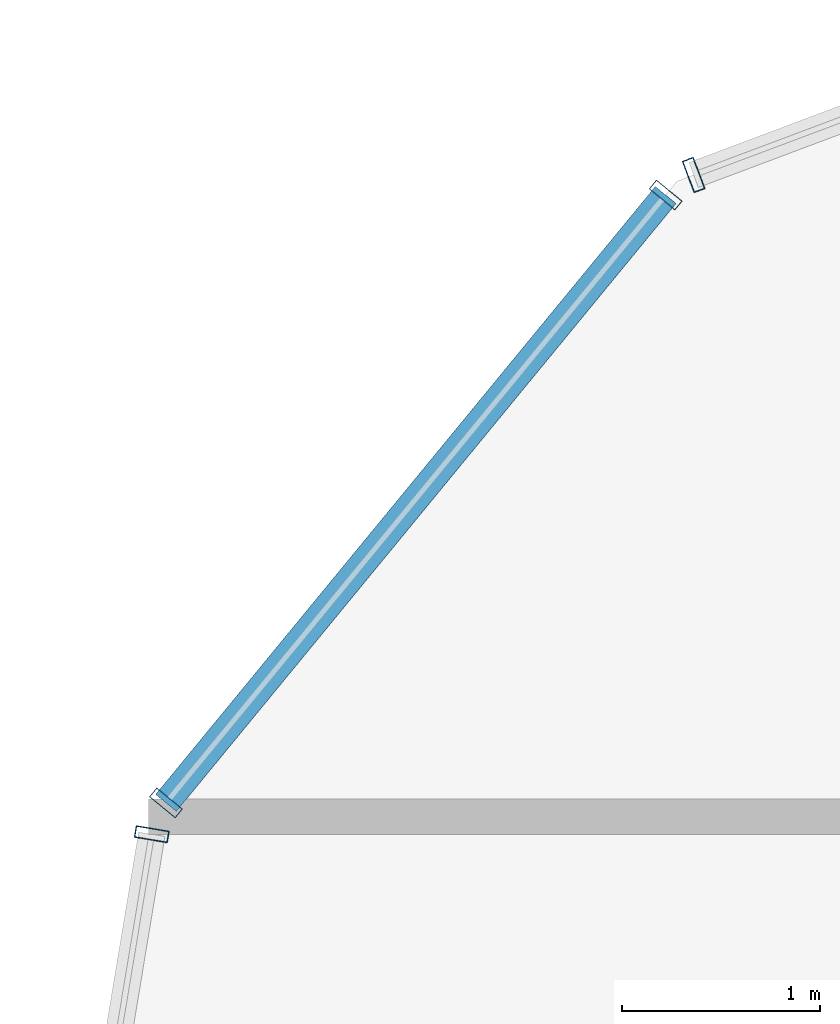
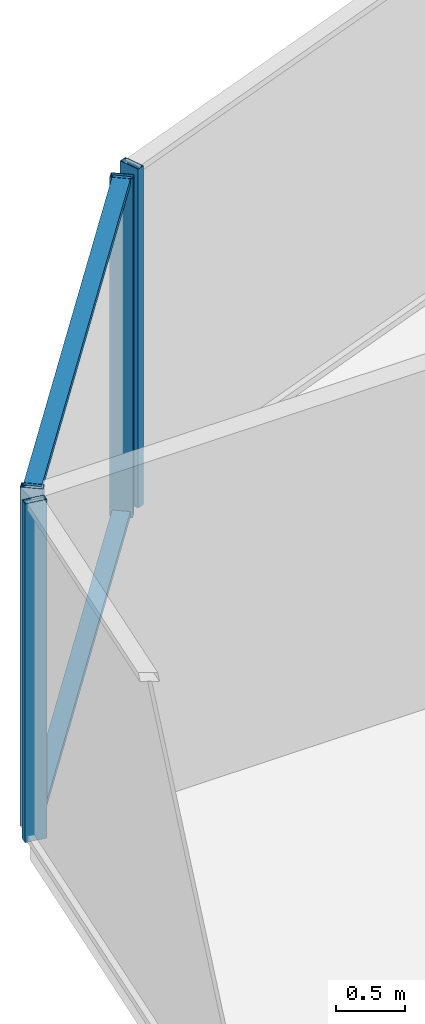
# One storey, part 19 of 30: 6 members, 3 elements without a shape of their own.
"""IFC4 building model written with IfcOpenShell, lengths in metres."""

from ifc_helpers import new_model, si_unit, direction, frame, origin, origin_2d, place, context, subcontext, project, spatial, hollow_rectangle, extrude, source, transform, mapped, material, layer, layer_set, material_profile, profile_set, type_object, element, aggregate, save


model = new_model("IFC4")

# Units and contexts
model_context = context("Model", 3, precision=1e-05, world=origin(), true_north=direction((0.0, 1.0)))
body_context = subcontext(model_context, "Body", "Model", "MODEL_VIEW")
ifc_project = project(units=[si_unit("LENGTHUNIT", "METRE"), si_unit("AREAUNIT", "SQUARE_METRE"), si_unit("VOLUMEUNIT", "CUBIC_METRE"), si_unit("PLANEANGLEUNIT", "RADIAN"), si_unit("MASSUNIT", "GRAM", prefix="KILO")], contexts=[model_context])

# Site, building, storey
site_placement = place(None, origin())
site = spatial("IfcSite", under=ifc_project, at=site_placement, CompositionType="ELEMENT")
building_placement = place(site_placement, origin())
building = spatial("IfcBuilding", under=site, at=building_placement, Name="Veraguas Prism Commons", CompositionType="ELEMENT")
storey_placement = place(building_placement, frame((0.0, 0.0, 95.949951171875)))
storey = spatial("IfcBuildingStorey", under=building, at=storey_placement, Name="L26", CompositionType="ELEMENT", Elevation=95.949951171875)

# Curtain wall, member
ifc_material = material(Name="Anodised aluminium EN AW-6063 T6", Category="aluminium")
ifc_layer = layer(ifc_material, 0.169921875, Name="Unitised Flush Curtain Wall Zone 2", Category="aluminium")
ifc_layer_set = layer_set([ifc_layer], Name="Anodised aluminium EN AW-6063 T6")
curtain_wall_type = type_object("IfcCurtainWallType", Name="Unitised Flush Curtain Wall Zone 2", PredefinedType="NOTDEFINED", material=ifc_layer_set)
curtain_wall_1_placement = place(storey_placement, origin())
curtain_wall_1 = element("IfcCurtainWall", 1, at=curtain_wall_1_placement, inside=storey, type_object=curtain_wall_type, Name="Tower Facade Curtain Wall L26-F2", PredefinedType="NOTDEFINED")
ifc_material_profile_1 = material_profile(ifc_material, hollow_rectangle(XDim=0.06005859375, YDim=0.169921875, WallThickness=0.00390625, at=origin_2d()), Name="AL60X170X4")
ifc_profile_set_1 = profile_set([ifc_material_profile_1], Name="Anodised aluminium EN AW-6063 T6")
member_type_1 = type_object("IfcMemberType", Name="Curtain Wall Mullion Lower AL 60x170x4", PredefinedType="MULLION", material=ifc_profile_set_1)
shared_shape_1 = source(origin(), body_context, "Body", "SweptSolid", [
    extrude(hollow_rectangle(XDim=0.06005859375, YDim=0.169921875, WallThickness=0.00390625, at=origin_2d()), origin(), (0.0, 0.0, 1.0), 3.0),
])
member_1_placement = place(storey_placement, frame((9.2177734375, 38.939697265625, 0.0), z_axis=(0.0, 0.0, 1.0), x_axis=(-0.93618290812, -0.351513246611, 0.0)))
member_1 = element("IfcMember", 2, at=member_1_placement, type_object=member_type_1, Name="CW-Z2 Mullion 5", PredefinedType="MULLION", context=body_context, shape_type="MappedRepresentation", body=[
    mapped(shared_shape_1, transform((0.0, 0.0, 0.0), scale=1.0)),
])
aggregate(curtain_wall_1, [member_1])

curtain_wall_2_placement = place(storey_placement, origin())
curtain_wall_2 = element("IfcCurtainWall", 3, at=curtain_wall_2_placement, inside=storey, type_object=curtain_wall_type, Name="Tower Facade Curtain Wall L26-F3", PredefinedType="NOTDEFINED")
member_2_placement = place(storey_placement, frame((6.481689453125, 35.611083984375, 0.0), z_axis=(0.0, 0.0, 1.0), x_axis=(-0.163672052728, -0.986514804327, 0.0)))
member_2 = element("IfcMember", 4, at=member_2_placement, type_object=member_type_1, Name="CW-Z2 Mullion 1", PredefinedType="MULLION", context=body_context, shape_type="MappedRepresentation", body=[
    mapped(shared_shape_1, transform((0.0, 0.0, 0.0), scale=1.0)),
])
aggregate(curtain_wall_2, [member_2])

# Curtain wall, members
curtain_wall_3_placement = place(storey_placement, origin())
curtain_wall_3 = element("IfcCurtainWall", 5, at=curtain_wall_3_placement, inside=storey, type_object=curtain_wall_type, Name="Chamfer Curtain Wall L26-C3", PredefinedType="NOTDEFINED")
member_3_placement = place(storey_placement, frame((9.076416015625, 38.838623046875, 0.0), z_axis=(0.0, 0.0, 1.0), x_axis=(-0.63501234394, -0.772501989023, 0.0)))
member_3 = element("IfcMember", 6, at=member_3_placement, type_object=member_type_1, Name="CW-Z2 Mullion 1", PredefinedType="MULLION", context=body_context, shape_type="MappedRepresentation", body=[
    mapped(shared_shape_1, transform((0.0, 0.0, 0.0), scale=1.0)),
])
member_4_placement = place(storey_placement, frame((6.553466796875, 35.769287109375, 0.0), z_axis=(0.0, 0.0, 1.0), x_axis=(-0.63501234394, -0.772501989023, 0.0)))
member_4 = element("IfcMember", 7, at=member_4_placement, type_object=member_type_1, Name="CW-Z2 Mullion 2", PredefinedType="MULLION", context=body_context, shape_type="MappedRepresentation", body=[
    mapped(shared_shape_1, transform((0.0, 0.0, 0.0), scale=1.0)),
])
ifc_material_profile_2 = material_profile(ifc_material, hollow_rectangle(XDim=0.054931640625, YDim=0.135009765625, WallThickness=0.0029296875, at=origin_2d()), Name="AL55X135X3")
ifc_profile_set_2 = profile_set([ifc_material_profile_2], Name="Anodised aluminium EN AW-6063 T6")
member_type_2 = type_object("IfcMemberType", Name="Curtain Wall Transom Standard AL 55x135x3", PredefinedType="USERDEFINED", material=ifc_profile_set_2)
shared_shape_2 = source(origin(), body_context, "Body", "SweptSolid", [
    extrude(hollow_rectangle(XDim=0.054931640625, YDim=0.135009765625, WallThickness=0.0029296875, at=origin_2d()), origin(), (0.0, 0.0, 1.0), 3.97314453125),
])
member_5_placement = place(storey_placement, frame((9.076416015625, 38.838623046875, 0.027587890625), z_axis=(-0.634996222031, -0.772515241278, 0.0), x_axis=(0.0, 0.0, 1.0)))
member_5 = element("IfcMember", 8, at=member_5_placement, type_object=member_type_2, Name="CW-Z2 Transom 1", ObjectType="TRANSOM", PredefinedType="USERDEFINED", context=body_context, shape_type="MappedRepresentation", body=[
    mapped(shared_shape_2, transform((0.0, 0.0, 0.0), scale=1.0)),
])
member_6_placement = place(storey_placement, frame((9.076416015625, 38.838623046875, 2.97265625), z_axis=(-0.634996222031, -0.772515241278, 0.0), x_axis=(0.0, 0.0, 1.0)))
member_6 = element("IfcMember", 9, at=member_6_placement, type_object=member_type_2, Name="CW-Z2 Transom 2", ObjectType="TRANSOM", PredefinedType="USERDEFINED", context=body_context, shape_type="MappedRepresentation", body=[
    mapped(shared_shape_2, transform((0.0, 0.0, 0.0), scale=1.0)),
])
aggregate(curtain_wall_3, [member_3, member_4, member_5, member_6])

save(model, "model.ifc")
